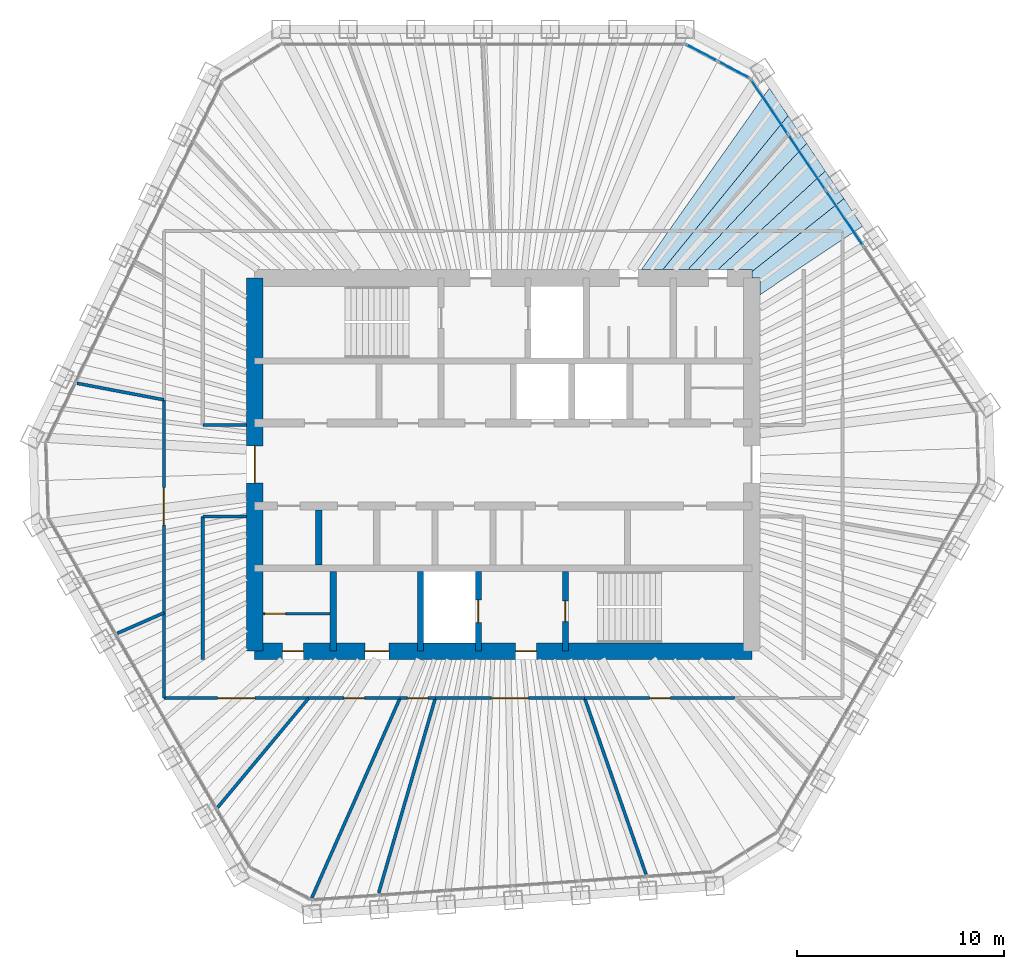
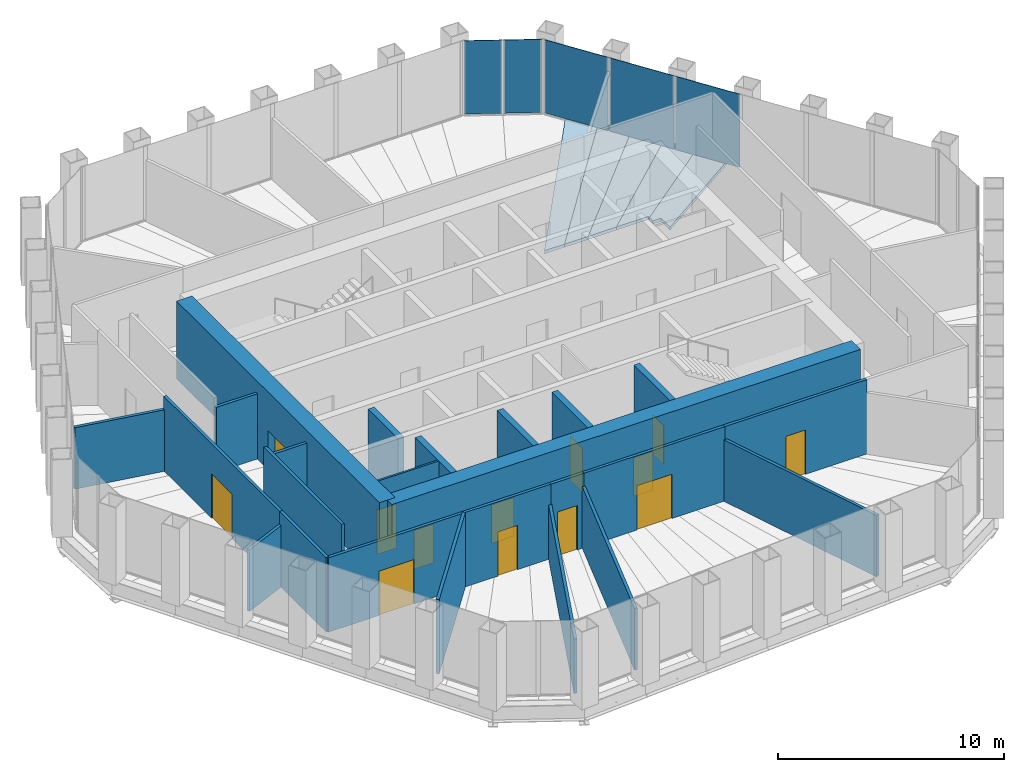
# One storey, part 11 of 14: 24 walls, 13 doors, 5 plates, 5 slabs, 13 openings, 2 elements without a shape of their own.
"""IFC4 building model written with IfcOpenShell, lengths in metres."""

from ifc_helpers import new_model, si_unit, direction, frame, frame_2d, origin, origin_2d, place, context, subcontext, project, spatial, polyline, rectangle, outline, extrude, material, layer, layer_set, type_object, element, fill, aggregate, save


model = new_model("IFC4")

# Units and contexts
model_context = context("Model", 3, precision=1e-05, world=origin(), true_north=direction((0.0, 1.0)))
body_context = subcontext(model_context, "Body", "Model", "MODEL_VIEW")
ifc_project = project(units=[si_unit("LENGTHUNIT", "METRE"), si_unit("AREAUNIT", "SQUARE_METRE"), si_unit("VOLUMEUNIT", "CUBIC_METRE"), si_unit("PLANEANGLEUNIT", "RADIAN"), si_unit("MASSUNIT", "GRAM", prefix="KILO")], contexts=[model_context])

# Site, building, storey
site_placement = place(None, origin())
site = spatial("IfcSite", under=ifc_project, at=site_placement, CompositionType="ELEMENT")
building_placement = place(site_placement, origin())
building = spatial("IfcBuilding", under=site, at=building_placement, Name="Qingtian Harvest Tower", CompositionType="ELEMENT")
storey_placement = place(building_placement, frame((0.0, 0.0, 308.199951171875)))
storey = spatial("IfcBuildingStorey", under=building, at=storey_placement, Name="L68", CompositionType="ELEMENT", Elevation=308.199951171875)

# Slabs
ifc_material_1 = material(Name="Concrete fc' 35 MPa", Category="concrete")
ifc_layer_1 = layer(ifc_material_1, 0.169921875)
ifc_layer_set_1 = layer_set([ifc_layer_1], Name="Composite floor slab FS17 170")
slab_type = type_object("IfcSlabType", Name="Composite floor slab FS17 170", PredefinedType="FLOOR", material=ifc_layer_set_1)
slab_1_placement = place(storey_placement, frame((0.0, 0.0, -0.169921875)))
element("IfcSlab", 1, at=slab_1_placement, inside=storey, type_object=slab_type, Name="Floor slab L68 panel D47", PredefinedType="FLOOR", context=body_context, shape_type="SweptSolid", body=[
    extrude(outline(polyline([(12.39990234375, 9.0), (12.0, 9.0), (12.0, 9.30908203125), (16.44140625, 12.830078125), (17.340576171875, 11.4970703125), (12.39990234375, 8.199462890625), (12.39990234375, 9.0)])), origin(), (0.0, 0.0, 1.0), 0.169921875),
])
slab_2_placement = place(storey_placement, frame((0.0, 0.0, -0.169921875)))
element("IfcSlab", 2, at=slab_2_placement, inside=storey, type_object=slab_type, Name="Floor slab L68 panel D48", PredefinedType="FLOOR", context=body_context, shape_type="SweptSolid", body=[
    extrude(outline(polyline([(12.0, 9.39990234375), (10.349853515625, 9.39990234375), (15.541259765625, 14.164794921875), (16.44140625, 12.830078125), (12.0, 9.30908203125), (12.0, 9.39990234375)])), origin(), (0.0, 0.0, 1.0), 0.169921875),
])
slab_3_placement = place(storey_placement, frame((0.0, 0.0, -0.169921875)))
element("IfcSlab", 3, at=slab_3_placement, inside=storey, type_object=slab_type, Name="Floor slab L68 panel D49", PredefinedType="FLOOR", context=body_context, shape_type="SweptSolid", body=[
    extrude(outline(polyline([(8.907958984375, 9.39990234375), (14.641357421875, 15.498779296875), (15.541259765625, 14.164794921875), (10.349853515625, 9.39990234375), (8.907958984375, 9.39990234375)])), origin(), (0.0, 0.0, 1.0), 0.169921875),
])
slab_4_placement = place(storey_placement, frame((0.0, 0.0, -0.169921875)))
element("IfcSlab", 4, at=slab_4_placement, inside=storey, type_object=slab_type, Name="Floor slab L68 panel D50", PredefinedType="FLOOR", context=body_context, shape_type="SweptSolid", body=[
    extrude(outline(polyline([(7.695556640625, 9.39990234375), (13.74169921875, 16.832763671875), (14.641357421875, 15.498779296875), (8.907958984375, 9.39990234375), (7.695556640625, 9.39990234375)])), origin(), (0.0, 0.0, 1.0), 0.169921875),
])
slab_5_placement = place(storey_placement, frame((0.0, 0.0, -0.169921875)))
element("IfcSlab", 5, at=slab_5_placement, inside=storey, type_object=slab_type, Name="Floor slab L68 panel D51", PredefinedType="FLOOR", context=body_context, shape_type="SweptSolid", body=[
    extrude(outline(polyline([(6.662109375, 9.39990234375), (12.841796875, 18.16650390625), (13.74169921875, 16.832763671875), (7.695556640625, 9.39990234375), (6.662109375, 9.39990234375)])), origin(), (0.0, 0.0, 1.0), 0.169921875),
])

# Curtain wall, plates
ifc_material_2 = material(Name="Bronze-anodised aluminium curtain wall", Category="aluminium")
curtain_wall_type = type_object("IfcCurtainWallType", Name="Curtain wall CW5 upper office", PredefinedType="USERDEFINED", material=ifc_material_2)
curtain_wall_1_placement = place(storey_placement, origin())
curtain_wall_1 = element("IfcCurtainWall", 6, at=curtain_wall_1_placement, inside=storey, type_object=curtain_wall_type, Name="Curtain wall CW5 L68 NC", ObjectType="RECESSED CURTAIN WALL", PredefinedType="USERDEFINED")
ifc_material_3 = material(Name="Bronze-tinted laminated insulating glass", Category="glass")
ifc_layer_2 = layer(ifc_material_3, 0.030029296875)
ifc_layer_set_2 = layer_set([ifc_layer_2], Name="Glazed panel CWP tinted IGU")
plate_type = type_object("IfcPlateType", Name="Glazed panel CWP tinted IGU", PredefinedType="CURTAIN_PANEL", material=ifc_layer_set_2)
plate_1_placement = place(storey_placement, frame((9.57080078125, 19.8720703125, 0.06494140625), z_axis=(0.0, 0.0, 1.0), x_axis=(0.882947592859, -0.469471562786, 0.0)))
plate_1 = element("IfcPlate", 7, at=plate_1_placement, type_object=plate_type, Name="CW5 panel 1.1", PredefinedType="CURTAIN_PANEL", context=body_context, shape_type="SweptSolid", body=[
    extrude(rectangle(XDim=1.69287109375, YDim=0.030029296875, at=origin_2d()), origin(), (0.0, 0.0, 1.0), 3.965087890625),
])
plate_2_placement = place(storey_placement, frame((11.122802734375, 19.046875, 0.06494140625), z_axis=(0.0, 0.0, 1.0), x_axis=(0.882947592859, -0.469471562786, 0.0)))
plate_2 = element("IfcPlate", 8, at=plate_2_placement, type_object=plate_type, Name="CW5 panel 2.1", PredefinedType="CURTAIN_PANEL", context=body_context, shape_type="SweptSolid", body=[
    extrude(rectangle(XDim=1.69287109375, YDim=0.030029296875, at=origin_2d()), origin(), (0.0, 0.0, 1.0), 3.965087890625),
])
aggregate(curtain_wall_1, [plate_1, plate_2])

curtain_wall_2_placement = place(storey_placement, origin())
curtain_wall_2 = element("IfcCurtainWall", 9, at=curtain_wall_2_placement, inside=storey, type_object=curtain_wall_type, Name="Curtain wall CW5 L68 NE0-5", ObjectType="RECESSED CURTAIN WALL", PredefinedType="USERDEFINED")
plate_3_placement = place(storey_placement, frame((12.844970703125, 17.259033203125, 0.06494140625), z_axis=(0.0, 0.0, 1.0), x_axis=(0.559192903471, -0.829037572555, 0.0)))
plate_3 = element("IfcPlate", 10, at=plate_3_placement, type_object=plate_type, Name="CW5 panel 1.1", PredefinedType="CURTAIN_PANEL", context=body_context, shape_type="SweptSolid", body=[
    extrude(rectangle(XDim=3.150634765625, YDim=0.030029296875, at=origin_2d()), origin(), (0.0, 0.0, 1.0), 3.965087890625),
])
plate_4_placement = place(storey_placement, frame((14.652099609375, 14.579833984375, 0.06494140625), z_axis=(0.0, 0.0, 1.0), x_axis=(0.559192903471, -0.829037572555, 0.0)))
plate_4 = element("IfcPlate", 11, at=plate_4_placement, type_object=plate_type, Name="CW5 panel 2.1", PredefinedType="CURTAIN_PANEL", context=body_context, shape_type="SweptSolid", body=[
    extrude(rectangle(XDim=3.18310546875, YDim=0.030029296875, at=origin_2d()), origin(), (0.0, 0.0, 1.0), 3.965087890625),
])
plate_5_placement = place(storey_placement, frame((16.46826171875, 11.886962890625, 0.06494140625), z_axis=(0.0, 0.0, 1.0), x_axis=(0.559192903471, -0.829037572555, 0.0)))
plate_5 = element("IfcPlate", 12, at=plate_5_placement, type_object=plate_type, Name="CW5 panel 3.1", PredefinedType="CURTAIN_PANEL", context=body_context, shape_type="SweptSolid", body=[
    extrude(rectangle(XDim=3.18310546875, YDim=0.030029296875, at=origin_2d()), origin(), (0.0, 0.0, 1.0), 3.965087890625),
])
aggregate(curtain_wall_2, [plate_3, plate_4, plate_5])

# Walls
ifc_material_4 = material(Name="Precast concrete shaft panel", Category="concrete")
ifc_layer_3 = layer(ifc_material_4, 0.300048828125)
ifc_layer_set_3 = layer_set([ifc_layer_3], Name="Core shaft partition SW1 300")
wall_type_1 = type_object("IfcWallType", Name="Core shaft partition SW1 300", PredefinedType="PARTITIONING", material=ifc_layer_set_3)
wall_1_placement = place(storey_placement, frame((-8.89990234375, -4.85009765625, 0.0), z_axis=(0.0, 0.0, 1.0), x_axis=(0.0, 1.0, 0.0)))
element("IfcWall", 13, at=wall_1_placement, inside=storey, type_object=wall_type_1, Name="Core shaft partition XB1 L68", PredefinedType="PARTITIONING", context=body_context, shape_type="SweptSolid", body=[
    extrude(rectangle(XDim=2.650146484375, YDim=0.300048828125, at=frame_2d((1.3251953125, 0.0))), origin(), (0.0, 0.0, 1.0), 3.97998046875),
])
for number, where, z_axis, x_axis, name in (
    (14, (-8.199951171875, -9.0, 0.0), (0.0, 0.0, 1.0), (0.0, 1.0, 0.0), "Core shaft partition XS1 L68"),
    (15, (-4.0, -9.0, 0.0), (0.0, 0.0, 1.0), (0.0, 1.0, 0.0), "Core shaft partition XS2 L68"),
):
    element("IfcWall", number, at=place(storey_placement, frame(where, z_axis=z_axis, x_axis=x_axis)), inside=storey, type_object=wall_type_1, Name=name, PredefinedType="PARTITIONING", context=body_context, shape_type="SweptSolid", body=[
        extrude(rectangle(XDim=3.85009765625, YDim=0.300048828125, at=frame_2d((1.925048828125, 0.0))), origin(), (0.0, 0.0, 1.0), 3.97998046875),
    ])

# Wall, opening, door
wall_2_placement = place(storey_placement, frame((-1.199951171875, -9.0, 0.0), z_axis=(0.0, 0.0, 1.0), x_axis=(0.0, 1.0, 0.0)))
wall_2 = element("IfcWall", 16, at=wall_2_placement, inside=storey, type_object=wall_type_1, Name="Core shaft partition XS3 L68", PredefinedType="PARTITIONING", context=body_context, shape_type="SweptSolid", body=[
    extrude(rectangle(XDim=3.85009765625, YDim=0.300048828125, at=frame_2d((1.925048828125, 0.0))), origin(), (0.0, 0.0, 1.0), 3.97998046875),
])
opening_1_placement = place(wall_2_placement, frame((1.375, 0.0, 0.0)))
opening_1 = element("IfcOpeningElement", 17, at=opening_1_placement, cuts=wall_2, Name="Opening LD1", PredefinedType="OPENING", context=body_context, shape_type="SweptSolid", body=[
    extrude(rectangle(XDim=1.10009765625, YDim=2.39990234375, at=frame_2d((0.550048828125, 1.199951171875))), frame((0.0, 0.159912109375, 0.0), z_axis=(0.0, -1.0, 0.0), x_axis=(1.0, 0.0, 0.0)), (0.0, 0.0, 1.0), 0.320068359375),
])
ifc_material_5 = material(Name="Stainless steel lift landing door", Category="steel")
door_type_1 = type_object("IfcDoorType", Name="Lift landing door LD1 1 HR", OperationType="DOUBLE_DOOR_SLIDING", PredefinedType="DOOR", material=ifc_material_5)
door_1_placement = place(opening_1_placement, origin())
door_1 = element("IfcDoor", 18, at=door_1_placement, inside=storey, type_object=door_type_1, Name="FL2 landing door L68", OperationType="DOUBLE_DOOR_SLIDING", OverallHeight=2.39990234375, OverallWidth=1.10009765625, PredefinedType="DOOR", context=body_context, shape_type="SweptSolid", body=[
    extrude(rectangle(XDim=1.10009765625, YDim=2.39990234375, at=frame_2d((0.550048828125, 1.199951171875))), frame((0.0, 0.02490234375, 0.0), z_axis=(0.0, -1.0, 0.0), x_axis=(1.0, 0.0, 0.0)), (0.0, 0.0, 1.0), 0.050048828125),
])
fill(opening_1, door_1)

wall_3_placement = place(storey_placement, frame((3.0, -9.0, 0.0), z_axis=(0.0, 0.0, 1.0), x_axis=(0.0, 1.0, 0.0)))
wall_3 = element("IfcWall", 19, at=wall_3_placement, inside=storey, type_object=wall_type_1, Name="Core shaft partition XS4 L68", PredefinedType="PARTITIONING", context=body_context, shape_type="SweptSolid", body=[
    extrude(rectangle(XDim=3.85009765625, YDim=0.300048828125, at=frame_2d((1.925048828125, 0.0))), origin(), (0.0, 0.0, 1.0), 3.97998046875),
])
opening_2_placement = place(wall_3_placement, frame((1.425048828125, 0.0, 0.0)))
opening_2 = element("IfcOpeningElement", 20, at=opening_2_placement, cuts=wall_3, Name="Opening FD1", PredefinedType="OPENING", context=body_context, shape_type="SweptSolid", body=[
    extrude(rectangle(XDim=1.0, YDim=2.10009765625, at=frame_2d((0.5, 1.050048828125))), frame((0.0, 0.159912109375, 0.0), z_axis=(0.0, -1.0, 0.0), x_axis=(1.0, 0.0, 0.0)), (0.0, 0.0, 1.0), 0.320068359375),
])
ifc_material_6 = material(Name="Steel-faced door leaf", Category="steel")
door_type_2 = type_object("IfcDoorType", Name="Fire door FD1 single 1 HR", OperationType="SINGLE_SWING_LEFT", PredefinedType="DOOR", material=ifc_material_6)
door_2_placement = place(opening_2_placement, origin())
door_2 = element("IfcDoor", 21, at=door_2_placement, inside=storey, type_object=door_type_2, Name="S2 door L68", OperationType="SINGLE_SWING_RIGHT", OverallHeight=2.10009765625, OverallWidth=1.0, PredefinedType="DOOR", context=body_context, shape_type="SweptSolid", body=[
    extrude(rectangle(XDim=1.0, YDim=2.10009765625, at=frame_2d((0.5, 1.050048828125))), frame((0.0, 0.02490234375, 0.0), z_axis=(0.0, -1.0, 0.0), x_axis=(1.0, 0.0, 0.0)), (0.0, 0.0, 1.0), 0.050048828125),
])
fill(opening_2, door_2)

# Wall, openings, doors
ifc_material_7 = material(Name="Concrete fc' 70 MPa", Category="concrete")
ifc_layer_4 = layer(ifc_material_7, 0.800048828125)
ifc_layer_set_4 = layer_set([ifc_layer_4], Name="Core wall RC4 800")
wall_type_2 = type_object("IfcWallType", Name="Core wall RC4 800", PredefinedType="SHEAR", material=ifc_layer_set_4)
wall_4_placement = place(storey_placement, frame((-12.0, -9.0, 0.0), z_axis=(0.0, 0.0, 1.0), x_axis=(1.0, 0.0, 0.0)))
wall_4 = element("IfcWall", 22, at=wall_4_placement, inside=storey, type_object=wall_type_2, Name="Core wall CS L68", PredefinedType="SHEAR", context=body_context, shape_type="SweptSolid", body=[
    extrude(rectangle(XDim=24.0, YDim=0.800048828125, at=frame_2d((12.0, 0.0))), origin(), (0.0, 0.0, 1.0), 4.199951171875),
])
opening_3_placement = place(wall_4_placement, frame((1.35009765625, 0.0, 0.0)))
opening_3 = element("IfcOpeningElement", 23, at=opening_3_placement, cuts=wall_4, Name="Opening FD1", PredefinedType="OPENING", context=body_context, shape_type="SweptSolid", body=[
    extrude(rectangle(XDim=1.0, YDim=2.10009765625, at=frame_2d((0.5, 1.050048828125))), frame((0.0, 0.409912109375, 0.0), z_axis=(0.0, -1.0, 0.0), x_axis=(1.0, 0.0, 0.0)), (0.0, 0.0, 1.0), 0.820068359375),
])
opening_4_placement = place(wall_4_placement, frame((5.324951171875, 0.0, 0.0)))
opening_4 = element("IfcOpeningElement", 24, at=opening_4_placement, cuts=wall_4, Name="Opening AD1", PredefinedType="OPENING", context=body_context, shape_type="SweptSolid", body=[
    extrude(rectangle(XDim=1.14990234375, YDim=2.10009765625, at=frame_2d((0.574951171875, 1.050048828125))), frame((0.0, 0.409912109375, 0.0), z_axis=(0.0, -1.0, 0.0), x_axis=(1.0, 0.0, 0.0)), (0.0, 0.0, 1.0), 0.820068359375),
])
opening_5_placement = place(wall_4_placement, frame((12.60009765625, 0.0, 0.0)))
opening_5 = element("IfcOpeningElement", 25, at=opening_5_placement, cuts=wall_4, Name="Opening FD1", PredefinedType="OPENING", context=body_context, shape_type="SweptSolid", body=[
    extrude(rectangle(XDim=1.0, YDim=2.10009765625, at=frame_2d((0.5, 1.050048828125))), frame((0.0, 0.409912109375, 0.0), z_axis=(0.0, -1.0, 0.0), x_axis=(1.0, 0.0, 0.0)), (0.0, 0.0, 1.0), 0.820068359375),
])
ifc_material_8 = material(Name="Laminated timber door leaf", Category="wood")
door_type_3 = type_object("IfcDoorType", Name="Accessible WC door AD1 single", OperationType="SINGLE_SWING_LEFT", PredefinedType="DOOR", material=ifc_material_8)
door_3_placement = place(opening_4_placement, origin())
door_3 = element("IfcDoor", 26, at=door_3_placement, inside=storey, type_object=door_type_3, Name="AWC door L68", OperationType="SINGLE_SWING_RIGHT", OverallHeight=2.10009765625, OverallWidth=1.14990234375, PredefinedType="DOOR", context=body_context, shape_type="SweptSolid", body=[
    extrude(rectangle(XDim=1.14990234375, YDim=2.10009765625, at=frame_2d((0.574951171875, 1.050048828125))), frame((0.0, 0.02490234375, 0.0), z_axis=(0.0, -1.0, 0.0), x_axis=(1.0, 0.0, 0.0)), (0.0, 0.0, 1.0), 0.050048828125),
])
fill(opening_4, door_3)
door_4_placement = place(opening_3_placement, origin())
door_4 = element("IfcDoor", 27, at=door_4_placement, inside=storey, type_object=door_type_2, Name="CLN door L68", OperationType="SINGLE_SWING_LEFT", OverallHeight=2.10009765625, OverallWidth=1.0, PredefinedType="DOOR", context=body_context, shape_type="SweptSolid", body=[
    extrude(rectangle(XDim=1.0, YDim=2.10009765625, at=frame_2d((0.5, 1.050048828125))), frame((0.0, 0.02490234375, 0.0), z_axis=(0.0, -1.0, 0.0), x_axis=(1.0, 0.0, 0.0)), (0.0, 0.0, 1.0), 0.050048828125),
])
fill(opening_3, door_4)
door_5_placement = place(opening_5_placement, origin())
door_5 = element("IfcDoor", 28, at=door_5_placement, inside=storey, type_object=door_type_2, Name="V2 door L68", OperationType="SINGLE_SWING_LEFT", OverallHeight=2.10009765625, OverallWidth=1.0, PredefinedType="DOOR", context=body_context, shape_type="SweptSolid", body=[
    extrude(rectangle(XDim=1.0, YDim=2.10009765625, at=frame_2d((0.5, 1.050048828125))), frame((0.0, 0.02490234375, 0.0), z_axis=(0.0, -1.0, 0.0), x_axis=(1.0, 0.0, 0.0)), (0.0, 0.0, 1.0), 0.050048828125),
])
fill(opening_5, door_5)

# Wall, opening, door
wall_5_placement = place(storey_placement, frame((-12.0, -9.0, 0.0), z_axis=(0.0, 0.0, 1.0), x_axis=(0.0, 1.0, 0.0)))
wall_5 = element("IfcWall", 29, at=wall_5_placement, inside=storey, type_object=wall_type_2, Name="Core wall CW L68", PredefinedType="SHEAR", context=body_context, shape_type="SweptSolid", body=[
    extrude(rectangle(XDim=18.0, YDim=0.800048828125, at=frame_2d((9.0, 0.0))), origin(), (0.0, 0.0, 1.0), 4.199951171875),
])
opening_6_placement = place(wall_5_placement, frame((8.10009765625, 0.0, 0.0)))
opening_6 = element("IfcOpeningElement", 30, at=opening_6_placement, cuts=wall_5, Name="Opening FD2", PredefinedType="OPENING", context=body_context, shape_type="SweptSolid", body=[
    extrude(rectangle(XDim=1.800048828125, YDim=2.10009765625, at=frame_2d((0.89990234375, 1.050048828125))), frame((0.0, 0.409912109375, 0.0), z_axis=(0.0, -1.0, 0.0), x_axis=(1.0, 0.0, 0.0)), (0.0, 0.0, 1.0), 0.820068359375),
])
ifc_material_9 = material(Name="Steel-faced door leaf", Category="steel")
door_type_4 = type_object("IfcDoorType", Name="Fire door FD2 double 1 HR", OperationType="DOUBLE_DOOR_DOUBLE_SWING", PredefinedType="DOOR", material=ifc_material_9)
door_6_placement = place(opening_6_placement, origin())
door_6 = element("IfcDoor", 31, at=door_6_placement, inside=storey, type_object=door_type_4, Name="LOBBY-W door L68", OperationType="DOUBLE_DOOR_DOUBLE_SWING", OverallHeight=2.10009765625, OverallWidth=1.800048828125, PredefinedType="DOOR", context=body_context, shape_type="SweptSolid", body=[
    extrude(rectangle(XDim=1.800048828125, YDim=2.10009765625, at=frame_2d((0.89990234375, 1.050048828125))), frame((0.0, 0.02490234375, 0.0), z_axis=(0.0, -1.0, 0.0), x_axis=(1.0, 0.0, 0.0)), (0.0, 0.0, 1.0), 0.050048828125),
])
fill(opening_6, door_6)

ifc_material_10 = material(Name="Gypsum board on steel studs", Category="steel")
ifc_layer_5 = layer(ifc_material_10, 0.14990234375)
ifc_layer_set_5 = layer_set([ifc_layer_5], Name="Partition PT1 150")
wall_type_3 = type_object("IfcWallType", Name="Partition PT1 150", PredefinedType="PARTITIONING", material=ifc_layer_set_5)
wall_6_placement = place(storey_placement, frame((11.194091796875, -11.27490234375, 0.0), z_axis=(0.0, 0.0, 1.0), x_axis=(-1.0, 0.0, 0.0)))
wall_6 = element("IfcWall", 32, at=wall_6_placement, inside=storey, type_object=wall_type_3, Name="Focus room wall L68", PredefinedType="PARTITIONING", context=body_context, shape_type="SweptSolid", body=[
    extrude(rectangle(XDim=7.266357421875, YDim=0.14990234375, at=frame_2d((3.63330078125, 0.0))), origin(), (0.0, 0.0, 1.0), 4.030029296875),
])
opening_7_placement = place(wall_6_placement, frame((3.133056640625, 0.0, 0.0)))
opening_7 = element("IfcOpeningElement", 33, at=opening_7_placement, cuts=wall_6, Name="Opening D2", PredefinedType="OPENING", context=body_context, shape_type="SweptSolid", body=[
    extrude(rectangle(XDim=1.0, YDim=2.39990234375, at=frame_2d((0.5, 1.199951171875))), frame((0.0, 0.0849609375, 0.0), z_axis=(0.0, -1.0, 0.0), x_axis=(1.0, 0.0, 0.0)), (0.0, 0.0, 1.0), 0.169921875),
])
ifc_material_11 = material(Name="Laminated timber door leaf", Category="wood")
door_type_5 = type_object("IfcDoorType", Name="Room door D2 single", OperationType="SINGLE_SWING_LEFT", PredefinedType="DOOR", material=ifc_material_11)
door_7_placement = place(opening_7_placement, origin())
door_7 = element("IfcDoor", 34, at=door_7_placement, inside=storey, type_object=door_type_5, Name="Focus room door L68", OperationType="SINGLE_SWING_LEFT", OverallHeight=2.39990234375, OverallWidth=1.0, PredefinedType="DOOR", context=body_context, shape_type="SweptSolid", body=[
    extrude(rectangle(XDim=1.0, YDim=2.39990234375, at=frame_2d((0.5, 1.199951171875))), frame((0.0, 0.02490234375, 0.0), z_axis=(0.0, -1.0, 0.0), x_axis=(1.0, 0.0, 0.0)), (0.0, 0.0, 1.0), 0.050048828125),
])
fill(opening_7, door_7)

# Wall
wall_7_placement = place(storey_placement, frame((6.8876953125, -19.771240234375, 0.0), z_axis=(0.0, 0.0, 1.0), x_axis=(-0.328987878601, 0.944334144111, 0.0)))
element("IfcWall", 35, at=wall_7_placement, inside=storey, type_object=wall_type_3, Name="Workplace zone wall L68", PredefinedType="PARTITIONING", context=body_context, shape_type="SweptSolid", body=[
    extrude(rectangle(XDim=8.9970703125, YDim=0.14990234375, at=frame_2d((4.49853515625, 0.0))), origin(), (0.0, 0.0, 1.0), 3.330078125),
])

# Wall, opening, door
wall_8_placement = place(storey_placement, frame((3.927734375, -11.27490234375, 0.0), z_axis=(0.0, 0.0, 1.0), x_axis=(-1.0, 0.0, 0.0)))
wall_8 = element("IfcWall", 36, at=wall_8_placement, inside=storey, type_object=wall_type_3, Name="Workplace zone wall L68", PredefinedType="PARTITIONING", context=body_context, shape_type="SweptSolid", body=[
    extrude(rectangle(XDim=7.206298828125, YDim=0.14990234375, at=frame_2d((3.60302734375, 0.0))), origin(), (0.0, 0.0, 1.0), 4.030029296875),
])
opening_8_placement = place(wall_8_placement, frame((2.703125, 0.0, 0.0)))
opening_8 = element("IfcOpeningElement", 37, at=opening_8_placement, cuts=wall_8, Name="Opening D3", PredefinedType="OPENING", context=body_context, shape_type="SweptSolid", body=[
    extrude(rectangle(XDim=1.800048828125, YDim=2.39990234375, at=frame_2d((0.89990234375, 1.199951171875))), frame((0.0, 0.0849609375, 0.0), z_axis=(0.0, -1.0, 0.0), x_axis=(1.0, 0.0, 0.0)), (0.0, 0.0, 1.0), 0.169921875),
])
ifc_material_12 = material(Name="Laminated timber door leaf", Category="wood")
door_type_6 = type_object("IfcDoorType", Name="Room door D3 double", OperationType="DOUBLE_DOOR_DOUBLE_SWING", PredefinedType="DOOR", material=ifc_material_12)
door_8_placement = place(opening_8_placement, origin())
door_8 = element("IfcDoor", 38, at=door_8_placement, inside=storey, type_object=door_type_6, Name="Workplace zone door L68", OperationType="DOUBLE_DOOR_DOUBLE_SWING", OverallHeight=2.39990234375, OverallWidth=1.800048828125, PredefinedType="DOOR", context=body_context, shape_type="SweptSolid", body=[
    extrude(rectangle(XDim=1.800048828125, YDim=2.39990234375, at=frame_2d((0.89990234375, 1.199951171875))), frame((0.0, 0.02490234375, 0.0), z_axis=(0.0, -1.0, 0.0), x_axis=(1.0, 0.0, 0.0)), (0.0, 0.0, 1.0), 0.050048828125),
])
fill(opening_8, door_8)

# Wall
wall_9_placement = place(storey_placement, frame((-6.011962890625, -20.67578125, 0.0), z_axis=(0.0, 0.0, 1.0), x_axis=(0.279197441451, 0.960233715658, 0.0)))
element("IfcWall", 39, at=wall_9_placement, inside=storey, type_object=wall_type_3, Name="Print room wall L68", PredefinedType="PARTITIONING", context=body_context, shape_type="SweptSolid", body=[
    extrude(rectangle(XDim=9.790283203125, YDim=0.14990234375, at=frame_2d((4.89501953125, 0.0))), origin(), (0.0, 0.0, 1.0), 3.330078125),
])

# Wall, opening, door
wall_10_placement = place(storey_placement, frame((-3.278564453125, -11.27490234375, 0.0), z_axis=(0.0, 0.0, 1.0), x_axis=(-1.0, 0.0, 0.0)))
wall_10 = element("IfcWall", 40, at=wall_10_placement, inside=storey, type_object=wall_type_3, Name="Print room wall L68", PredefinedType="PARTITIONING", context=body_context, shape_type="SweptSolid", body=[
    extrude(rectangle(XDim=1.704345703125, YDim=0.14990234375, at=frame_2d((0.85205078125, 0.0))), origin(), (0.0, 0.0, 1.0), 4.030029296875),
])
opening_9_placement = place(wall_10_placement, frame((0.352294921875, 0.0, 0.0)))
opening_9 = element("IfcOpeningElement", 41, at=opening_9_placement, cuts=wall_10, Name="Opening D2", PredefinedType="OPENING", context=body_context, shape_type="SweptSolid", body=[
    extrude(rectangle(XDim=1.0, YDim=2.39990234375, at=frame_2d((0.5, 1.199951171875))), frame((0.0, 0.0849609375, 0.0), z_axis=(0.0, -1.0, 0.0), x_axis=(1.0, 0.0, 0.0)), (0.0, 0.0, 1.0), 0.169921875),
])
door_9_placement = place(opening_9_placement, origin())
door_9 = element("IfcDoor", 42, at=door_9_placement, inside=storey, type_object=door_type_5, Name="Print room door L68", OperationType="SINGLE_SWING_RIGHT", OverallHeight=2.39990234375, OverallWidth=1.0, PredefinedType="DOOR", context=body_context, shape_type="SweptSolid", body=[
    extrude(rectangle(XDim=1.0, YDim=2.39990234375, at=frame_2d((0.5, 1.199951171875))), frame((0.0, 0.02490234375, 0.0), z_axis=(0.0, -1.0, 0.0), x_axis=(1.0, 0.0, 0.0)), (0.0, 0.0, 1.0), 0.050048828125),
])
fill(opening_9, door_9)

# Wall
wall_11_placement = place(storey_placement, frame((-9.23974609375, -20.906982421875, 0.0), z_axis=(0.0, 0.0, 1.0), x_axis=(0.404227449851, 0.91465849845, 0.0)))
element("IfcWall", 43, at=wall_11_placement, inside=storey, type_object=wall_type_3, Name="Store room wall L68", PredefinedType="PARTITIONING", context=body_context, shape_type="SweptSolid", body=[
    extrude(rectangle(XDim=10.53076171875, YDim=0.14990234375, at=frame_2d((5.265380859375, 0.0))), origin(), (0.0, 0.0, 1.0), 2.929931640625),
])

# Wall, opening, door
wall_12_placement = place(storey_placement, frame((-4.98291015625, -11.27490234375, 0.0), z_axis=(0.0, 0.0, 1.0), x_axis=(-1.0, 0.0, 0.0)))
wall_12 = element("IfcWall", 44, at=wall_12_placement, inside=storey, type_object=wall_type_3, Name="Store room wall L68", PredefinedType="PARTITIONING", context=body_context, shape_type="SweptSolid", body=[
    extrude(rectangle(XDim=4.40673828125, YDim=0.14990234375, at=frame_2d((2.203369140625, 0.0))), origin(), (0.0, 0.0, 1.0), 4.030029296875),
])
opening_10_placement = place(wall_12_placement, frame((1.703369140625, 0.0, 0.0)))
opening_10 = element("IfcOpeningElement", 45, at=opening_10_placement, cuts=wall_12, Name="Opening D2", PredefinedType="OPENING", context=body_context, shape_type="SweptSolid", body=[
    extrude(rectangle(XDim=1.0, YDim=2.39990234375, at=frame_2d((0.5, 1.199951171875))), frame((0.0, 0.0849609375, 0.0), z_axis=(0.0, -1.0, 0.0), x_axis=(1.0, 0.0, 0.0)), (0.0, 0.0, 1.0), 0.169921875),
])
door_10_placement = place(opening_10_placement, origin())
door_10 = element("IfcDoor", 46, at=door_10_placement, inside=storey, type_object=door_type_5, Name="Store room door L68", OperationType="SINGLE_SWING_RIGHT", OverallHeight=2.39990234375, OverallWidth=1.0, PredefinedType="DOOR", context=body_context, shape_type="SweptSolid", body=[
    extrude(rectangle(XDim=1.0, YDim=2.39990234375, at=frame_2d((0.5, 1.199951171875))), frame((0.0, 0.02490234375, 0.0), z_axis=(0.0, -1.0, 0.0), x_axis=(1.0, 0.0, 0.0)), (0.0, 0.0, 1.0), 0.050048828125),
])
fill(opening_10, door_10)

# Wall
wall_13_placement = place(storey_placement, frame((-13.779296875, -16.546142578125, 0.0), z_axis=(0.0, 0.0, 1.0), x_axis=(0.639921807512, 0.768440030367, 0.0)))
element("IfcWall", 47, at=wall_13_placement, inside=storey, type_object=wall_type_3, Name="Meeting room wall L68", PredefinedType="PARTITIONING", context=body_context, shape_type="SweptSolid", body=[
    extrude(rectangle(XDim=6.859619140625, YDim=0.14990234375, at=frame_2d((3.4296875, 0.0))), origin(), (0.0, 0.0, 1.0), 4.030029296875),
])

# Wall, opening, door
wall_14_placement = place(storey_placement, frame((-9.3896484375, -11.27490234375, 0.0), z_axis=(0.0, 0.0, 1.0), x_axis=(-1.0, 0.0, 0.0)))
wall_14 = element("IfcWall", 48, at=wall_14_placement, inside=storey, type_object=wall_type_3, Name="Meeting room wall L68", PredefinedType="PARTITIONING", context=body_context, shape_type="SweptSolid", body=[
    extrude(rectangle(XDim=6.9853515625, YDim=0.14990234375, at=frame_2d((3.49267578125, 0.0))), origin(), (0.0, 0.0, 1.0), 4.030029296875),
])
opening_11_placement = place(wall_14_placement, frame((2.5927734375, 0.0, 0.0)))
opening_11 = element("IfcOpeningElement", 49, at=opening_11_placement, cuts=wall_14, Name="Opening D3", PredefinedType="OPENING", context=body_context, shape_type="SweptSolid", body=[
    extrude(rectangle(XDim=1.800048828125, YDim=2.39990234375, at=frame_2d((0.89990234375, 1.199951171875))), frame((0.0, 0.0849609375, 0.0), z_axis=(0.0, -1.0, 0.0), x_axis=(1.0, 0.0, 0.0)), (0.0, 0.0, 1.0), 0.169921875),
])
door_11_placement = place(opening_11_placement, origin())
door_11 = element("IfcDoor", 50, at=door_11_placement, inside=storey, type_object=door_type_6, Name="Meeting room door L68", OperationType="DOUBLE_DOOR_DOUBLE_SWING", OverallHeight=2.39990234375, OverallWidth=1.800048828125, PredefinedType="DOOR", context=body_context, shape_type="SweptSolid", body=[
    extrude(rectangle(XDim=1.800048828125, YDim=2.39990234375, at=frame_2d((0.89990234375, 1.199951171875))), frame((0.0, 0.02490234375, 0.0), z_axis=(0.0, -1.0, 0.0), x_axis=(1.0, 0.0, 0.0)), (0.0, 0.0, 1.0), 0.050048828125),
])
fill(opening_11, door_11)

# Walls
wall_15_placement = place(storey_placement, frame((-16.375, -11.27490234375, 0.0), z_axis=(0.0, 0.0, 1.0), x_axis=(0.0, 1.0, 0.0)))
element("IfcWall", 51, at=wall_15_placement, inside=storey, type_object=wall_type_3, Name="Meeting room wall L68", PredefinedType="PARTITIONING", context=body_context, shape_type="SweptSolid", body=[
    extrude(rectangle(XDim=4.114013671875, YDim=0.14990234375, at=frame_2d((2.05712890625, 0.0))), origin(), (0.0, 0.0, 1.0), 4.030029296875),
])
wall_16_placement = place(storey_placement, frame((-18.62353515625, -8.144287109375, 0.0), z_axis=(0.0, 0.0, 1.0), x_axis=(0.916207556777, 0.400704021574, 0.0)))
element("IfcWall", 52, at=wall_16_placement, inside=storey, type_object=wall_type_3, Name="Training room wall L68", PredefinedType="PARTITIONING", context=body_context, shape_type="SweptSolid", body=[
    extrude(rectangle(XDim=2.4541015625, YDim=0.14990234375, at=frame_2d((1.22705078125, 0.0))), origin(), (0.0, 0.0, 1.0), 3.330078125),
])

# Wall, opening, door
wall_17_placement = place(storey_placement, frame((-16.375, -7.160888671875, 0.0), z_axis=(0.0, 0.0, 1.0), x_axis=(0.0, 1.0, 0.0)))
wall_17 = element("IfcWall", 53, at=wall_17_placement, inside=storey, type_object=wall_type_3, Name="Training room wall L68", PredefinedType="PARTITIONING", context=body_context, shape_type="SweptSolid", body=[
    extrude(rectangle(XDim=10.28271484375, YDim=0.14990234375, at=frame_2d((5.141357421875, 0.0))), origin(), (0.0, 0.0, 1.0), 4.030029296875),
])
opening_12_placement = place(wall_17_placement, frame((4.2412109375, 0.0, 0.0)))
opening_12 = element("IfcOpeningElement", 54, at=opening_12_placement, cuts=wall_17, Name="Opening D3", PredefinedType="OPENING", context=body_context, shape_type="SweptSolid", body=[
    extrude(rectangle(XDim=1.800048828125, YDim=2.39990234375, at=frame_2d((0.89990234375, 1.199951171875))), frame((0.0, 0.0849609375, 0.0), z_axis=(0.0, -1.0, 0.0), x_axis=(1.0, 0.0, 0.0)), (0.0, 0.0, 1.0), 0.169921875),
])
door_12_placement = place(opening_12_placement, origin())
door_12 = element("IfcDoor", 55, at=door_12_placement, inside=storey, type_object=door_type_6, Name="Training room door L68", OperationType="DOUBLE_DOOR_DOUBLE_SWING", OverallHeight=2.39990234375, OverallWidth=1.800048828125, PredefinedType="DOOR", context=body_context, shape_type="SweptSolid", body=[
    extrude(rectangle(XDim=1.800048828125, YDim=2.39990234375, at=frame_2d((0.89990234375, 1.199951171875))), frame((0.0, 0.02490234375, 0.0), z_axis=(0.0, -1.0, 0.0), x_axis=(1.0, 0.0, 0.0)), (0.0, 0.0, 1.0), 0.050048828125),
])
fill(opening_12, door_12)

# Walls
wall_18_placement = place(storey_placement, frame((-20.566162109375, 3.9208984375, 0.0), z_axis=(0.0, 0.0, 1.0), x_axis=(0.982305997167, -0.187283015595, 0.0)))
element("IfcWall", 56, at=wall_18_placement, inside=storey, type_object=wall_type_3, Name="Pantry wall L68", PredefinedType="PARTITIONING", context=body_context, shape_type="SweptSolid", body=[
    extrude(rectangle(XDim=4.2666015625, YDim=0.14990234375, at=frame_2d((2.13330078125, 0.0))), origin(), (0.0, 0.0, 1.0), 3.330078125),
])
wall_19_placement = place(storey_placement, frame((-12.39990234375, 1.89990234375, 0.0), z_axis=(0.0, 0.0, 1.0), x_axis=(-1.0, 0.0, 0.0)))
element("IfcWall", 57, at=wall_19_placement, inside=storey, type_object=wall_type_3, Name="Breakout space wall L68", PredefinedType="PARTITIONING", context=body_context, shape_type="SweptSolid", body=[
    extrude(rectangle(XDim=2.10009765625, YDim=0.14990234375, at=frame_2d((1.050048828125, 0.0))), origin(), (0.0, 0.0, 1.0), 3.530029296875),
])
wall_20_placement = place(storey_placement, frame((-14.5, -9.39990234375, 0.0), z_axis=(0.0, 0.0, 1.0), x_axis=(0.0, 1.0, 0.0)))
element("IfcWall", 58, at=wall_20_placement, inside=storey, type_object=wall_type_3, Name="Reading area wall L68", PredefinedType="PARTITIONING", context=body_context, shape_type="SweptSolid", body=[
    extrude(rectangle(XDim=6.89990234375, YDim=0.14990234375, at=frame_2d((3.449951171875, 0.0))), origin(), (0.0, 0.0, 1.0), 4.030029296875),
])
wall_21_placement = place(storey_placement, frame((-12.39990234375, -2.5, 0.0), z_axis=(0.0, 0.0, 1.0), x_axis=(-1.0, 0.0, 0.0)))
element("IfcWall", 59, at=wall_21_placement, inside=storey, type_object=wall_type_3, Name="Reading area wall L68", PredefinedType="PARTITIONING", context=body_context, shape_type="SweptSolid", body=[
    extrude(rectangle(XDim=2.10009765625, YDim=0.14990234375, at=frame_2d((1.050048828125, 0.0))), origin(), (0.0, 0.0, 1.0), 3.530029296875),
])

# Wall, opening, door
ifc_material_13 = material(Name="Concrete block partition", Category="concrete")
ifc_layer_6 = layer(ifc_material_13, 0.10009765625)
ifc_layer_set_6 = layer_set([ifc_layer_6], Name="Store partition PT3 100")
wall_type_4 = type_object("IfcWallType", Name="Store partition PT3 100", PredefinedType="PARTITIONING", material=ifc_layer_set_6)
wall_22_placement = place(storey_placement, frame((-11.60009765625, -7.199951171875, 0.0), z_axis=(0.0, 0.0, 1.0), x_axis=(1.0, 0.0, 0.0)))
wall_22 = element("IfcWall", 60, at=wall_22_placement, inside=storey, type_object=wall_type_4, Name="Waste store wall L68", PredefinedType="PARTITIONING", context=body_context, shape_type="SweptSolid", body=[
    extrude(rectangle(XDim=3.25, YDim=0.10009765625, at=frame_2d((1.625, 0.0))), origin(), (0.0, 0.0, 1.0), 3.97998046875),
])
opening_13_placement = place(wall_22_placement, frame((0.10009765625, 0.0, 0.0)))
opening_13 = element("IfcOpeningElement", 61, at=opening_13_placement, cuts=wall_22, Name="Opening D2", PredefinedType="OPENING", context=body_context, shape_type="SweptSolid", body=[
    extrude(rectangle(XDim=1.0, YDim=2.39990234375, at=frame_2d((0.5, 1.199951171875))), frame((0.0, 0.06005859375, 0.0), z_axis=(0.0, -1.0, 0.0), x_axis=(1.0, 0.0, 0.0)), (0.0, 0.0, 1.0), 0.1201171875),
])
door_13_placement = place(opening_13_placement, origin())
door_13 = element("IfcDoor", 62, at=door_13_placement, inside=storey, type_object=door_type_5, Name="Waste store door L68", OperationType="SINGLE_SWING_RIGHT", OverallHeight=2.39990234375, OverallWidth=1.0, PredefinedType="DOOR", context=body_context, shape_type="SweptSolid", body=[
    extrude(rectangle(XDim=1.0, YDim=2.39990234375, at=frame_2d((0.5, 1.199951171875))), frame((0.0, 0.02490234375, 0.0), z_axis=(0.0, -1.0, 0.0), x_axis=(1.0, 0.0, 0.0)), (0.0, 0.0, 1.0), 0.050048828125),
])
fill(opening_13, door_13)

save(model, "model.ifc")
